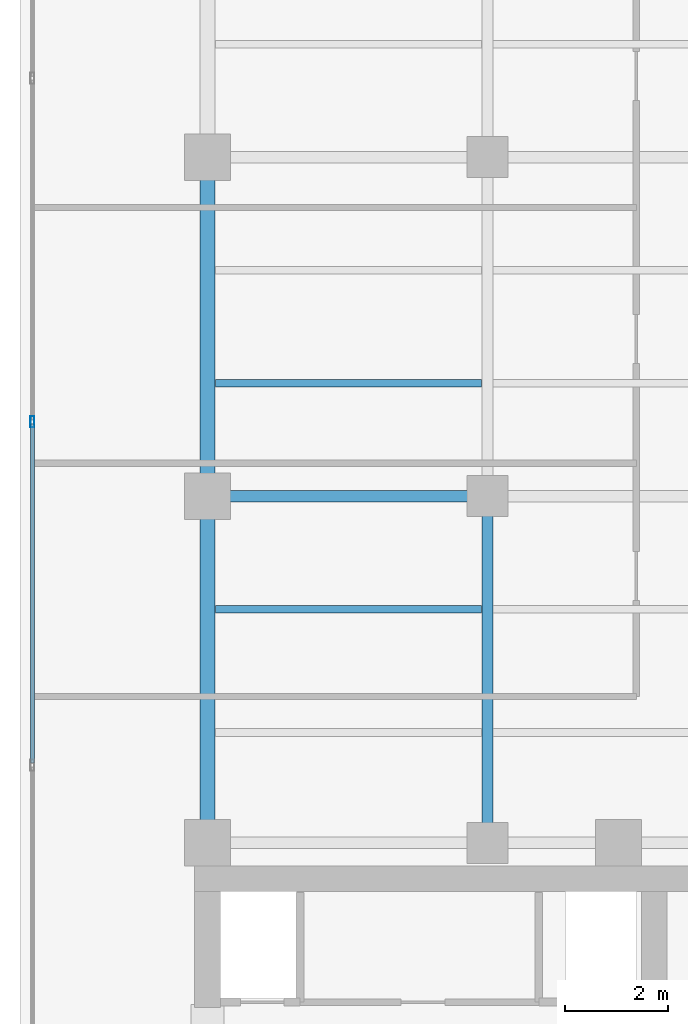
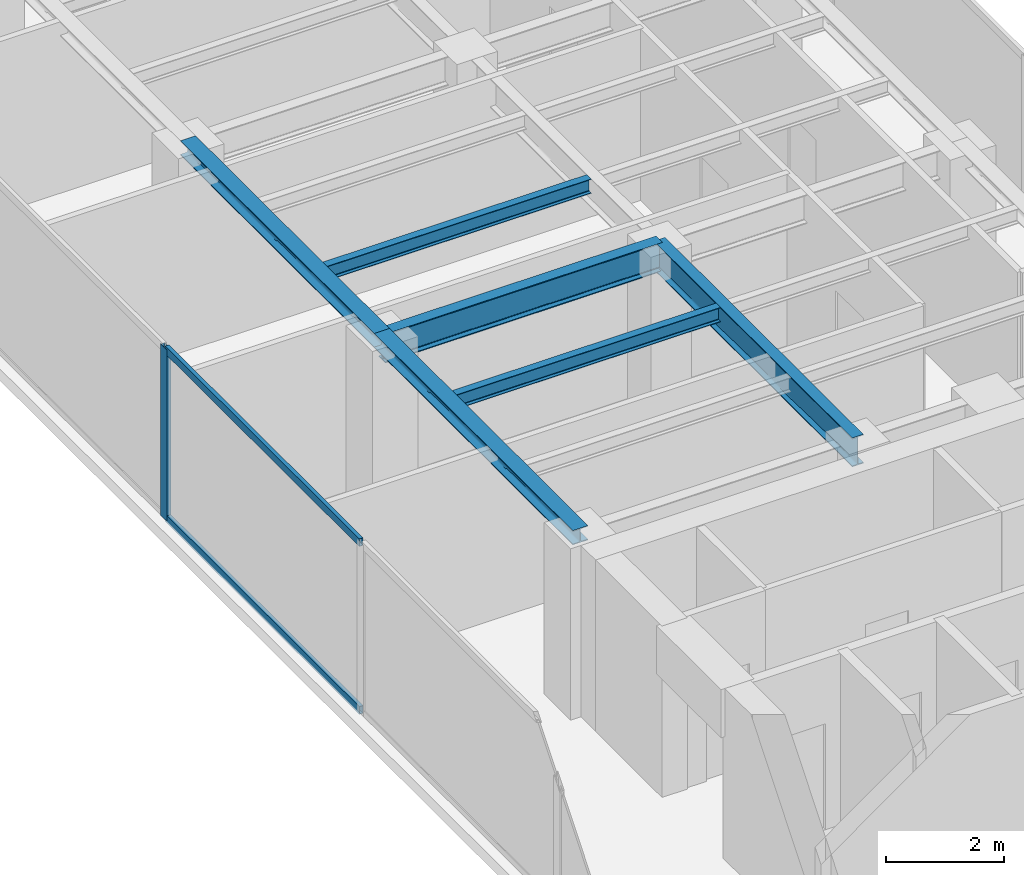
# One storey, part 8 of 22: 6 beams, 3 members, 1 element without a shape of its own.
"""IFC4 building model written with IfcOpenShell, lengths in metres."""

from ifc_helpers import new_model, si_unit, direction, frame, origin, origin_with_axes, origin_2d, place, context, subcontext, project, spatial, hollow_rectangle, i_section, extrude, source, transform, mapped, material, layer, layer_set, material_profile, profile_set, type_object, element, aggregate, save


model = new_model("IFC4")

# Units and contexts
model_context = context("Model", 3, precision=1e-05, world=origin(), true_north=direction((0.0, 1.0)))
body_context = subcontext(model_context, "Body", "Model", "MODEL_VIEW")
ifc_project = project(units=[si_unit("LENGTHUNIT", "METRE"), si_unit("AREAUNIT", "SQUARE_METRE"), si_unit("VOLUMEUNIT", "CUBIC_METRE"), si_unit("PLANEANGLEUNIT", "RADIAN"), si_unit("MASSUNIT", "GRAM", prefix="KILO")], contexts=[model_context])

# Site, building, storey
site_placement = place(None, origin())
site = spatial("IfcSite", under=ifc_project, at=site_placement, CompositionType="ELEMENT")
building_placement = place(site_placement, origin())
building = spatial("IfcBuilding", under=site, at=building_placement, Name="Kolvaren Waterfront Exchange", CompositionType="ELEMENT")
storey_placement = place(building_placement, frame((0.0, 0.0, 312.199951171875)))
storey = spatial("IfcBuildingStorey", under=building, at=storey_placement, Name="L80", CompositionType="ELEMENT", Elevation=312.199951171875)

# Beams
ifc_material_1 = material(Name="Steel S355", Category="steel")
ifc_material_profile_1 = material_profile(ifc_material_1, i_section(OverallWidth=0.300048828125, OverallDepth=0.300048828125, WebThickness=0.010986328125, FlangeThickness=0.01904296875, FilletRadius=0.027099609375, at=origin_2d()), Name="HEB300")
ifc_profile_set_1 = profile_set([ifc_material_profile_1], Name="Steel S355")
beam_type_1 = type_object("IfcBeamType", Name="STR-BM-HEB300", PredefinedType="SPANDREL", material=ifc_profile_set_1)
beam_1_placement = place(storey_placement, frame((7.449951171875, 24.449951171875, 3.41015625), z_axis=(0.0, 1.0, 0.0), x_axis=(-1.0, 0.0, 0.0)))
element("IfcBeam", 1, at=beam_1_placement, inside=storey, type_object=beam_type_1, Name="L80 north-arm edge beam 1", PredefinedType="SPANDREL", context=body_context, shape_type="SweptSolid", body=[
    extrude(i_section(OverallWidth=0.300048828125, OverallDepth=0.300048828125, WebThickness=0.010986328125, FlangeThickness=0.01904296875, FilletRadius=0.027099609375, at=origin_2d()), origin(), (0.0, 0.0, 1.0), 6.75),
])
beam_2_placement = place(storey_placement, frame((7.449951171875, 31.199951171875, 3.41015625), z_axis=(0.0, 1.0, 0.0), x_axis=(-1.0, 0.0, 0.0)))
element("IfcBeam", 2, at=beam_2_placement, inside=storey, type_object=beam_type_1, Name="L80 north-arm edge beam 2", PredefinedType="SPANDREL", context=body_context, shape_type="SweptSolid", body=[
    extrude(i_section(OverallWidth=0.300048828125, OverallDepth=0.300048828125, WebThickness=0.010986328125, FlangeThickness=0.01904296875, FilletRadius=0.027099609375, at=origin_2d()), origin(), (0.0, 0.0, 1.0), 6.60009765625),
])
ifc_material_profile_2 = material_profile(ifc_material_1, i_section(OverallWidth=0.14990234375, OverallDepth=0.300048828125, WebThickness=0.007080078125, FlangeThickness=0.0107421875, FilletRadius=0.014892578125, at=origin_2d()), Name="IPE300")
ifc_profile_set_2 = profile_set([ifc_material_profile_2], Name="Steel S355")
beam_type_2 = type_object("IfcBeamType", Name="STR-BM-IPE300", PredefinedType="JOIST", material=ifc_profile_set_2)
for number, where, z_axis, x_axis, name in (
    (3, (7.60205078125, 29.0, 3.41015625), (1.0, 0.0, 0.0), (0.0, 1.0, 0.0), "L80 north-arm composite joist 2A"),
    (4, (7.60205078125, 33.39990234375, 3.41015625), (1.0, 0.0, 0.0), (0.0, 1.0, 0.0), "L80 north-arm composite joist 3A"),
):
    element("IfcBeam", number, at=place(storey_placement, frame(where, z_axis=z_axis, x_axis=x_axis)), inside=storey, type_object=beam_type_2, Name=name, PredefinedType="JOIST", context=body_context, shape_type="SweptSolid", body=[
        extrude(i_section(OverallWidth=0.14990234375, OverallDepth=0.300048828125, WebThickness=0.007080078125, FlangeThickness=0.0107421875, FilletRadius=0.014892578125, at=origin_2d()), origin(), (0.0, 0.0, 1.0), 5.18603515625),
    ])
ifc_material_profile_3 = material_profile(ifc_material_1, i_section(OverallWidth=0.219970703125, OverallDepth=0.60009765625, WebThickness=0.011962890625, FlangeThickness=0.01904296875, FilletRadius=0.02392578125, at=origin_2d()), Name="IPE600")
ifc_profile_set_3 = profile_set([ifc_material_profile_3], Name="Steel S355")
beam_type_3 = type_object("IfcBeamType", Name="STR-BM-IPE600", PredefinedType="BEAM", material=ifc_profile_set_3)
beam_3_placement = place(storey_placement, frame((7.449951171875, 31.199951171875, 3.260009765625), z_axis=(1.0, 0.0, 0.0), x_axis=(0.0, 1.0, 0.0)))
element("IfcBeam", 5, at=beam_3_placement, inside=storey, type_object=beam_type_3, Name="L80 north-arm girder 2A", PredefinedType="BEAM", context=body_context, shape_type="SweptSolid", body=[
    extrude(i_section(OverallWidth=0.219970703125, OverallDepth=0.60009765625, WebThickness=0.011962890625, FlangeThickness=0.01904296875, FilletRadius=0.02392578125, at=origin_2d()), origin(), (0.0, 0.0, 1.0), 5.449951171875),
])
beam_4_placement = place(storey_placement, frame((12.89990234375, 24.449951171875, 3.260009765625), z_axis=(0.0, 1.0, 0.0), x_axis=(-1.0, 0.0, 0.0)))
element("IfcBeam", 6, at=beam_4_placement, inside=storey, type_object=beam_type_3, Name="L80 north-arm edge beam 1", PredefinedType="BEAM", context=body_context, shape_type="SweptSolid", body=[
    extrude(i_section(OverallWidth=0.219970703125, OverallDepth=0.60009765625, WebThickness=0.011962890625, FlangeThickness=0.01904296875, FilletRadius=0.02392578125, at=origin_2d()), origin(), (0.0, 0.0, 1.0), 6.75),
])

# Curtain wall, members
ifc_material_2 = material(Name="Anodised aluminium 6063-T6", Category="aluminium")
ifc_layer = layer(ifc_material_2, 0.219970703125, Name="Anodised aluminium 6063-T6")
ifc_layer_set = layer_set([ifc_layer], Name="Anodised aluminium 6063-T6")
curtain_wall_type = type_object("IfcCurtainWallType", Name="ARC-CW-SYS2", PredefinedType="USERDEFINED", material=ifc_layer_set)
curtain_wall_placement = place(storey_placement, origin())
curtain_wall = element("IfcCurtainWall", 7, at=curtain_wall_placement, inside=storey, type_object=curtain_wall_type, Name="L80 stick curtain wall CW2 (CW-L80-W)", ObjectType="STICK CURTAIN WALL", PredefinedType="USERDEFINED")
ifc_material_profile_4 = material_profile(ifc_material_2, hollow_rectangle(XDim=0.080078125, YDim=0.219970703125, WallThickness=0.0048828125, at=origin_2d()), Name="ALU-MUL-220x80x5")
ifc_profile_set_4 = profile_set([ifc_material_profile_4], Name="Anodised aluminium 6063-T6")
member_type_1 = type_object("IfcMemberType", Name="ARC-CWM-220", PredefinedType="MULLION", material=ifc_profile_set_4)
shared_shape_1 = source(origin_with_axes(), body_context, "Body", "SweptSolid", [
    extrude(hollow_rectangle(XDim=0.080078125, YDim=0.219970703125, WallThickness=0.0048828125, at=origin_2d()), origin(), (0.0, 0.0, 1.0), 3.56005859375),
])
member_1_placement = place(storey_placement, frame((4.0400390625, 32.6474609375, 0.0), z_axis=(0.0, 0.0, 1.0), x_axis=(-1.0, 0.0, 0.0)))
member_1 = element("IfcMember", 8, at=member_1_placement, type_object=member_type_1, Name="CW2 mullion 5", PredefinedType="MULLION", context=body_context, shape_type="MappedRepresentation", body=[
    mapped(shared_shape_1, transform((0.0, 0.0, 0.0), x_axis=(1.0, 0.0, 0.0), y_axis=(0.0, 1.0, 0.0), z_axis=(0.0, 0.0, 1.0), scale=1.0)),
])
ifc_material_profile_5 = material_profile(ifc_material_2, hollow_rectangle(XDim=0.074951171875, YDim=0.159912109375, WallThickness=0.00439453125, at=origin_2d()), Name="ALU-TRN-160x75x4.5")
ifc_profile_set_5 = profile_set([ifc_material_profile_5], Name="Anodised aluminium 6063-T6")
member_type_2 = type_object("IfcMemberType", Name="ARC-CWT-160", PredefinedType="USERDEFINED", material=ifc_profile_set_5)
shared_shape_2 = source(origin_with_axes(), body_context, "Body", "SweptSolid", [
    extrude(hollow_rectangle(XDim=0.074951171875, YDim=0.159912109375, WallThickness=0.00439453125, at=origin_2d()), origin(), (0.0, 0.0, 1.0), 6.60693359375),
])
member_2_placement = place(storey_placement, frame((4.0400390625, 26.00048828125, 0.03759765625), z_axis=(0.0, 1.0, 0.0), x_axis=(-1.0, 0.0, 0.0)))
member_2 = element("IfcMember", 9, at=member_2_placement, type_object=member_type_2, Name="CW2 transom 4.1", ObjectType="TRANSOM", PredefinedType="USERDEFINED", context=body_context, shape_type="MappedRepresentation", body=[
    mapped(shared_shape_2, transform((0.0, 0.0, 0.0), x_axis=(1.0, 0.0, 0.0), y_axis=(0.0, 1.0, 0.0), z_axis=(0.0, 0.0, 1.0), scale=1.0)),
])
member_3_placement = place(storey_placement, frame((4.0400390625, 26.00048828125, 3.5224609375), z_axis=(0.0, 1.0, 0.0), x_axis=(-1.0, 0.0, 0.0)))
member_3 = element("IfcMember", 10, at=member_3_placement, type_object=member_type_2, Name="CW2 transom 4.2", ObjectType="TRANSOM", PredefinedType="USERDEFINED", context=body_context, shape_type="MappedRepresentation", body=[
    mapped(shared_shape_2, transform((0.0, 0.0, 0.0), x_axis=(1.0, 0.0, 0.0), y_axis=(0.0, 1.0, 0.0), z_axis=(0.0, 0.0, 1.0), scale=1.0)),
])
aggregate(curtain_wall, [member_1, member_2, member_3])

save(model, "model.ifc")
